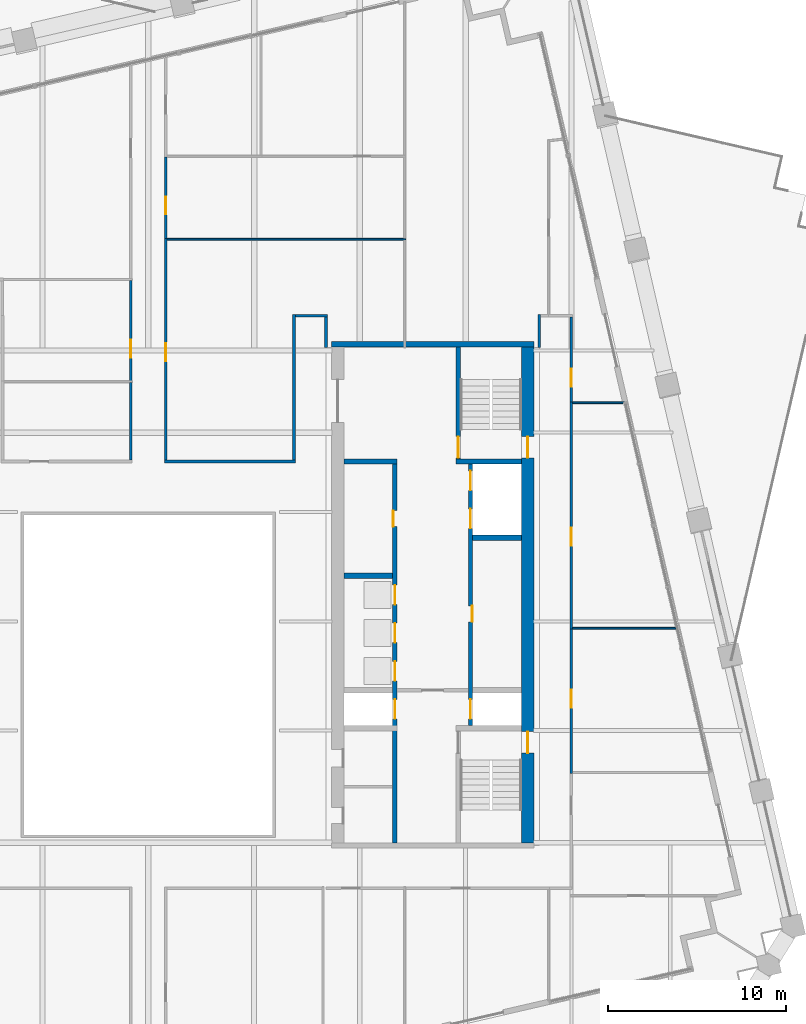
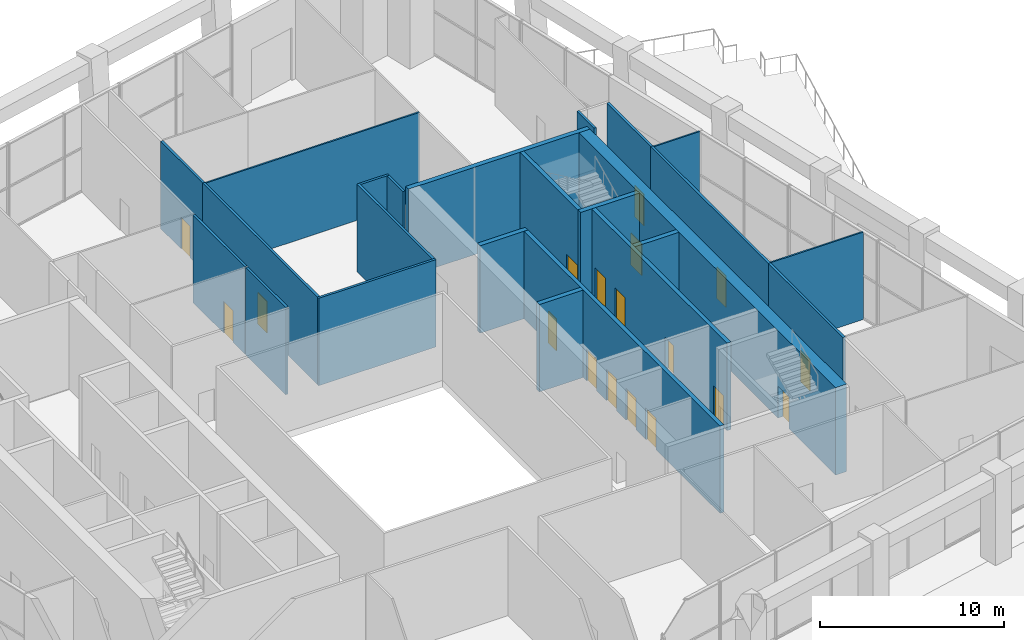
# One storey, part 15 of 24: 24 walls, 18 doors, 18 openings.
"""IFC4 building model written with IfcOpenShell, lengths in metres."""

from ifc_helpers import new_model, si_unit, direction, frame, frame_2d, origin, place, context, subcontext, project, spatial, rectangle, extrude, material, layer, layer_set, type_object, element, fill, save


model = new_model("IFC4")

# Units and contexts
model_context = context("Model", 3, precision=1e-05, world=origin(), true_north=direction((0.0, 1.0)))
body_context = subcontext(model_context, "Body", "Model", "MODEL_VIEW")
ifc_project = project(units=[si_unit("LENGTHUNIT", "METRE"), si_unit("AREAUNIT", "SQUARE_METRE"), si_unit("VOLUMEUNIT", "CUBIC_METRE"), si_unit("PLANEANGLEUNIT", "RADIAN"), si_unit("MASSUNIT", "GRAM", prefix="KILO")], contexts=[model_context])

# Site, building, storey
site_placement = place(None, origin())
site = spatial("IfcSite", under=ifc_project, at=site_placement, CompositionType="ELEMENT")
building_placement = place(site_placement, origin())
building = spatial("IfcBuilding", under=site, at=building_placement, Name="Ogive Exchange Tower", CompositionType="ELEMENT")
storey_placement = place(building_placement, frame((0.0, 0.0, 165.60009765625)))
storey = spatial("IfcBuildingStorey", under=building, at=storey_placement, Name="L36", CompositionType="ELEMENT", Elevation=165.60009765625)

# Walls
ifc_material_1 = material(Name="Gypsum board partition")
ifc_layer_1 = layer(ifc_material_1, 0.300048828125)
ifc_layer_set_1 = layer_set([ifc_layer_1], Name="Core room partition 300 gypsum")
wall_type_1 = type_object("IfcWallType", Name="Core room partition 300 gypsum", PredefinedType="PARTITIONING", material=ifc_layer_set_1)
wall_1_placement = place(storey_placement, frame((11.0, 19.0, 0.0), z_axis=(0.0, 0.0, 1.0), x_axis=(1.0, 0.0, 0.0)))
element("IfcWall", 1, at=wall_1_placement, inside=storey, type_object=wall_type_1, Name="E row B room end wall 7", PredefinedType="PARTITIONING", context=body_context, shape_type="SweptSolid", body=[
    extrude(rectangle(XDim=3.0, YDim=0.300048828125, at=frame_2d((1.5, 0.0))), origin(), (0.0, 0.0, 1.0), 5.7998046875),
])
ifc_material_2 = material(Name="Fire partition EI 60 150")
ifc_layer_2 = layer(ifc_material_2, 0.14990234375)
ifc_layer_set_2 = layer_set([ifc_layer_2], Name="Fire partition EI 60 150")
wall_type_2 = type_object("IfcWallType", Name="Fire partition EI 60 150", PredefinedType="PARTITIONING", material=ifc_layer_set_2)
wall_2_placement = place(storey_placement, frame((-0.989990234375, 19.074951171875, 0.0), z_axis=(0.0, 0.0, 1.0), x_axis=(0.0, 1.0, 0.0)))
element("IfcWall", 2, at=wall_2_placement, inside=storey, type_object=wall_type_2, Name="L36-PWL-035", PredefinedType="PARTITIONING", context=body_context, shape_type="SweptSolid", body=[
    extrude(rectangle(XDim=4.364990234375, YDim=0.14990234375, at=frame_2d((2.1826171875, 0.0))), origin(), (0.0, 0.0, 1.0), 5.7998046875),
])

# Wall, opening, door
wall_3_placement = place(storey_placement, frame((-0.989990234375, 23.5400390625, 0.0), z_axis=(0.0, 0.0, 1.0), x_axis=(0.0, 1.0, 0.0)))
wall_3 = element("IfcWall", 3, at=wall_3_placement, inside=storey, type_object=wall_type_2, Name="L36-PWL-036", PredefinedType="PARTITIONING", context=body_context, shape_type="SweptSolid", body=[
    extrude(rectangle(XDim=5.64990234375, YDim=0.14990234375, at=frame_2d((2.824951171875, 0.0))), origin(), (0.0, 0.0, 1.0), 5.7998046875),
])
opening_1_placement = place(wall_3_placement, frame((1.300048828125, 0.0, 0.0)))
opening_1 = element("IfcOpeningElement", 4, at=opening_1_placement, cuts=wall_3, Name="Opening L36-I04", PredefinedType="OPENING", context=body_context, shape_type="SweptSolid", body=[
    extrude(rectangle(XDim=1.0, YDim=2.10009765625, at=frame_2d((0.5, 1.050048828125))), frame((0.0, 0.0849609375, 0.0), z_axis=(0.0, -1.0, 0.0), x_axis=(1.0, 0.0, 0.0)), (0.0, 0.0, 1.0), 0.169921875),
])
ifc_material_3 = material(Name="Fire door FD 30S 1000 x 2100")
door_type_1 = type_object("IfcDoorType", Name="Fire door FD 30S 1000 x 2100", OperationType="NOTDEFINED", PredefinedType="DOOR", material=ifc_material_3)
door_1_placement = place(opening_1_placement, origin())
door_1 = element("IfcDoor", 5, at=door_1_placement, inside=storey, type_object=door_type_1, Name="L36-IDR-004", ObjectType="DT3", OperationType="SINGLE_SWING_RIGHT", OverallHeight=2.10009765625, OverallWidth=1.0, PredefinedType="DOOR", context=body_context, shape_type="SweptSolid", body=[
    extrude(rectangle(XDim=1.0, YDim=2.10009765625, at=frame_2d((0.5, 1.050048828125))), frame((0.0, 0.02490234375, 0.0), z_axis=(0.0, -1.0, 0.0), x_axis=(1.0, 0.0, 0.0)), (0.0, 0.0, 1.0), 0.050048828125),
])
fill(opening_1, door_1)

# Wall
wall_4_placement = place(storey_placement, frame((0.9150390625, 19.0, 0.0), z_axis=(0.0, 0.0, 1.0), x_axis=(1.0, 0.0, 0.0)))
element("IfcWall", 6, at=wall_4_placement, inside=storey, type_object=wall_type_2, Name="L36-PWL-039", PredefinedType="PARTITIONING", context=body_context, shape_type="SweptSolid", body=[
    extrude(rectangle(XDim=7.35986328125, YDim=0.14990234375, at=frame_2d((3.679931640625, 0.0))), origin(), (0.0, 0.0, 1.0), 5.7998046875),
])

# Wall, opening, door
wall_5_placement = place(storey_placement, frame((0.989990234375, 31.550048828125, 0.0), z_axis=(0.0, 0.0, 1.0), x_axis=(0.0, -1.0, 0.0)))
wall_5 = element("IfcWall", 7, at=wall_5_placement, inside=storey, type_object=wall_type_2, Name="L36-PWL-040", PredefinedType="PARTITIONING", context=body_context, shape_type="SweptSolid", body=[
    extrude(rectangle(XDim=12.47509765625, YDim=0.14990234375, at=frame_2d((6.237548828125, 0.0))), origin(), (0.0, 0.0, 1.0), 5.7998046875),
])
opening_2_placement = place(wall_5_placement, frame((5.89990234375, 0.0, 0.0)))
opening_2 = element("IfcOpeningElement", 8, at=opening_2_placement, cuts=wall_5, Name="Opening L36-I25", PredefinedType="OPENING", context=body_context, shape_type="SweptSolid", body=[
    extrude(rectangle(XDim=1.0, YDim=2.10009765625, at=frame_2d((0.5, 1.050048828125))), frame((0.0, 0.0849609375, 0.0), z_axis=(0.0, -1.0, 0.0), x_axis=(1.0, 0.0, 0.0)), (0.0, 0.0, 1.0), 0.169921875),
])
door_2_placement = place(opening_2_placement, origin())
door_2 = element("IfcDoor", 9, at=door_2_placement, inside=storey, type_object=door_type_1, Name="L36-IDR-025", ObjectType="DT3", OperationType="SINGLE_SWING_RIGHT", OverallHeight=2.10009765625, OverallWidth=1.0, PredefinedType="DOOR", context=body_context, shape_type="SweptSolid", body=[
    extrude(rectangle(XDim=1.0, YDim=2.10009765625, at=frame_2d((0.5, 1.050048828125))), frame((0.0, 0.02490234375, 0.0), z_axis=(0.0, -1.0, 0.0), x_axis=(1.0, 0.0, 0.0)), (0.0, 0.0, 1.0), 0.050048828125),
])
fill(opening_2, door_2)

wall_6_placement = place(storey_placement, frame((0.989990234375, 36.1201171875, 0.0), z_axis=(0.0, 0.0, 1.0), x_axis=(0.0, -1.0, 0.0)))
wall_6 = element("IfcWall", 10, at=wall_6_placement, inside=storey, type_object=wall_type_2, Name="L36-PWL-041", PredefinedType="PARTITIONING", context=body_context, shape_type="SweptSolid", body=[
    extrude(rectangle(XDim=4.570068359375, YDim=0.14990234375, at=frame_2d((2.28515625, 0.0))), origin(), (0.0, 0.0, 1.0), 5.7998046875),
])
opening_3_placement = place(wall_6_placement, frame((2.219970703125, 0.0, 0.0)))
opening_3 = element("IfcOpeningElement", 11, at=opening_3_placement, cuts=wall_6, Name="Opening L36-I24", PredefinedType="OPENING", context=body_context, shape_type="SweptSolid", body=[
    extrude(rectangle(XDim=1.0, YDim=2.10009765625, at=frame_2d((0.5, 1.050048828125))), frame((0.0, 0.0849609375, 0.0), z_axis=(0.0, -1.0, 0.0), x_axis=(1.0, 0.0, 0.0)), (0.0, 0.0, 1.0), 0.169921875),
])
door_3_placement = place(opening_3_placement, origin())
door_3 = element("IfcDoor", 12, at=door_3_placement, inside=storey, type_object=door_type_1, Name="L36-IDR-024", ObjectType="DT3", OperationType="SINGLE_SWING_LEFT", OverallHeight=2.10009765625, OverallWidth=1.0, PredefinedType="DOOR", context=body_context, shape_type="SweptSolid", body=[
    extrude(rectangle(XDim=1.0, YDim=2.10009765625, at=frame_2d((0.5, 1.050048828125))), frame((0.0, 0.02490234375, 0.0), z_axis=(0.0, -1.0, 0.0), x_axis=(1.0, 0.0, 0.0)), (0.0, 0.0, 1.0), 0.050048828125),
])
fill(opening_3, door_3)

# Walls
wall_7_placement = place(storey_placement, frame((8.199951171875, 19.074951171875, 0.0), z_axis=(0.0, 0.0, 1.0), x_axis=(0.0, 1.0, 0.0)))
element("IfcWall", 13, at=wall_7_placement, inside=storey, type_object=wall_type_2, Name="L36-PWL-045", PredefinedType="PARTITIONING", context=body_context, shape_type="SweptSolid", body=[
    extrude(rectangle(XDim=8.199951171875, YDim=0.14990234375, at=frame_2d((4.10009765625, 0.0))), origin(), (0.0, 0.0, 1.0), 5.7998046875),
])
wall_8_placement = place(storey_placement, frame((8.27490234375, 27.199951171875, 0.0), z_axis=(0.0, 0.0, 1.0), x_axis=(1.0, 0.0, 0.0)))
element("IfcWall", 14, at=wall_8_placement, inside=storey, type_object=wall_type_2, Name="L36-PWL-046", PredefinedType="PARTITIONING", context=body_context, shape_type="SweptSolid", body=[
    extrude(rectangle(XDim=1.800048828125, YDim=0.14990234375, at=frame_2d((0.89990234375, 0.0))), origin(), (0.0, 0.0, 1.0), 5.7998046875),
])
wall_9_placement = place(storey_placement, frame((10.0, 27.125, 0.0), z_axis=(0.0, 0.0, 1.0), x_axis=(0.0, -1.0, 0.0)))
element("IfcWall", 15, at=wall_9_placement, inside=storey, type_object=wall_type_2, Name="L36-PWL-049", PredefinedType="PARTITIONING", context=body_context, shape_type="SweptSolid", body=[
    extrude(rectangle(XDim=1.72509765625, YDim=0.14990234375, at=frame_2d((0.862548828125, 0.0))), origin(), (0.0, 0.0, 1.0), 5.7998046875),
])
wall_10_placement = place(storey_placement, frame((22.0, 25.39990234375, 0.0), z_axis=(0.0, 0.0, 1.0), x_axis=(0.0, 1.0, 0.0)))
element("IfcWall", 16, at=wall_10_placement, inside=storey, type_object=wall_type_2, Name="L36-PWL-057", PredefinedType="PARTITIONING", context=body_context, shape_type="SweptSolid", body=[
    extrude(rectangle(XDim=1.875, YDim=0.14990234375, at=frame_2d((0.9375, 0.0))), origin(), (0.0, 0.0, 1.0), 5.7998046875),
])

# Wall, opening, door
wall_11_placement = place(storey_placement, frame((23.800048828125, 9.570068359375, 0.0), z_axis=(0.0, 0.0, 1.0), x_axis=(0.0, -1.0, 0.0)))
wall_11 = element("IfcWall", 17, at=wall_11_placement, inside=storey, type_object=wall_type_2, Name="L36-PWL-067", PredefinedType="PARTITIONING", context=body_context, shape_type="SweptSolid", body=[
    extrude(rectangle(XDim=8.110107421875, YDim=0.14990234375, at=frame_2d((4.05517578125, 0.0))), origin(), (0.0, 0.0, 1.0), 5.7998046875),
])
opening_4_placement = place(wall_11_placement, frame((3.409912109375, 0.0, 0.0)))
opening_4 = element("IfcOpeningElement", 18, at=opening_4_placement, cuts=wall_11, Name="Opening L36-I19", PredefinedType="OPENING", context=body_context, shape_type="SweptSolid", body=[
    extrude(rectangle(XDim=1.0, YDim=2.10009765625, at=frame_2d((0.5, 1.050048828125))), frame((0.0, 0.0849609375, 0.0), z_axis=(0.0, -1.0, 0.0), x_axis=(1.0, 0.0, 0.0)), (0.0, 0.0, 1.0), 0.169921875),
])
door_4_placement = place(opening_4_placement, origin())
door_4 = element("IfcDoor", 19, at=door_4_placement, inside=storey, type_object=door_type_1, Name="L36-IDR-019", ObjectType="DT3", OperationType="SINGLE_SWING_RIGHT", OverallHeight=2.10009765625, OverallWidth=1.0, PredefinedType="DOOR", context=body_context, shape_type="SweptSolid", body=[
    extrude(rectangle(XDim=1.0, YDim=2.10009765625, at=frame_2d((0.5, 1.050048828125))), frame((0.0, 0.02490234375, 0.0), z_axis=(0.0, -1.0, 0.0), x_axis=(1.0, 0.0, 0.0)), (0.0, 0.0, 1.0), 0.050048828125),
])
fill(opening_4, door_4)

wall_12_placement = place(storey_placement, frame((23.800048828125, 22.360107421875, 0.0), z_axis=(0.0, 0.0, 1.0), x_axis=(0.0, -1.0, 0.0)))
wall_12 = element("IfcWall", 20, at=wall_12_placement, inside=storey, type_object=wall_type_2, Name="L36-PWL-068", PredefinedType="PARTITIONING", context=body_context, shape_type="SweptSolid", body=[
    extrude(rectangle(XDim=12.7900390625, YDim=0.14990234375, at=frame_2d((6.39501953125, 0.0))), origin(), (0.0, 0.0, 1.0), 5.7998046875),
])
opening_5_placement = place(wall_12_placement, frame((7.090087890625, 0.0, 0.0)))
opening_5 = element("IfcOpeningElement", 21, at=opening_5_placement, cuts=wall_12, Name="Opening L36-I18", PredefinedType="OPENING", context=body_context, shape_type="SweptSolid", body=[
    extrude(rectangle(XDim=1.0, YDim=2.10009765625, at=frame_2d((0.5, 1.050048828125))), frame((0.0, 0.0849609375, 0.0), z_axis=(0.0, -1.0, 0.0), x_axis=(1.0, 0.0, 0.0)), (0.0, 0.0, 1.0), 0.169921875),
])
door_5_placement = place(opening_5_placement, origin())
door_5 = element("IfcDoor", 22, at=door_5_placement, inside=storey, type_object=door_type_1, Name="L36-IDR-018", ObjectType="DT3", OperationType="SINGLE_SWING_RIGHT", OverallHeight=2.10009765625, OverallWidth=1.0, PredefinedType="DOOR", context=body_context, shape_type="SweptSolid", body=[
    extrude(rectangle(XDim=1.0, YDim=2.10009765625, at=frame_2d((0.5, 1.050048828125))), frame((0.0, 0.02490234375, 0.0), z_axis=(0.0, -1.0, 0.0), x_axis=(1.0, 0.0, 0.0)), (0.0, 0.0, 1.0), 0.050048828125),
])
fill(opening_5, door_5)

wall_13_placement = place(storey_placement, frame((23.800048828125, 27.125, 0.0), z_axis=(0.0, 0.0, 1.0), x_axis=(0.0, -1.0, 0.0)))
wall_13 = element("IfcWall", 23, at=wall_13_placement, inside=storey, type_object=wall_type_2, Name="L36-PWL-069", PredefinedType="PARTITIONING", context=body_context, shape_type="SweptSolid", body=[
    extrude(rectangle(XDim=4.764892578125, YDim=0.14990234375, at=frame_2d((2.38232421875, 0.0))), origin(), (0.0, 0.0, 1.0), 5.7998046875),
])
opening_6_placement = place(wall_13_placement, frame((2.9150390625, 0.0, 0.0)))
opening_6 = element("IfcOpeningElement", 24, at=opening_6_placement, cuts=wall_13, Name="Opening L36-I17", PredefinedType="OPENING", context=body_context, shape_type="SweptSolid", body=[
    extrude(rectangle(XDim=1.0, YDim=2.10009765625, at=frame_2d((0.5, 1.050048828125))), frame((0.0, 0.0849609375, 0.0), z_axis=(0.0, -1.0, 0.0), x_axis=(1.0, 0.0, 0.0)), (0.0, 0.0, 1.0), 0.169921875),
])
door_6_placement = place(opening_6_placement, origin())
door_6 = element("IfcDoor", 25, at=door_6_placement, inside=storey, type_object=door_type_1, Name="L36-IDR-017", ObjectType="DT3", OperationType="SINGLE_SWING_LEFT", OverallHeight=2.10009765625, OverallWidth=1.0, PredefinedType="DOOR", context=body_context, shape_type="SweptSolid", body=[
    extrude(rectangle(XDim=1.0, YDim=2.10009765625, at=frame_2d((0.5, 1.050048828125))), frame((0.0, 0.02490234375, 0.0), z_axis=(0.0, -1.0, 0.0), x_axis=(1.0, 0.0, 0.0)), (0.0, 0.0, 1.0), 0.050048828125),
])
fill(opening_6, door_6)

# Walls
ifc_material_4 = material(Name="Partition 100 gypsum")
ifc_layer_3 = layer(ifc_material_4, 0.10009765625)
ifc_layer_set_3 = layer_set([ifc_layer_3], Name="Partition 100 gypsum")
wall_type_3 = type_object("IfcWallType", Name="Partition 100 gypsum", PredefinedType="PARTITIONING", material=ifc_layer_set_3)
wall_14_placement = place(storey_placement, frame((14.47998046875, 31.5, 0.0), z_axis=(0.0, 0.0, 1.0), x_axis=(-1.0, 0.0, 0.0)))
element("IfcWall", 26, at=wall_14_placement, inside=storey, type_object=wall_type_3, Name="L36-PWL-052", PredefinedType="PARTITIONING", context=body_context, shape_type="SweptSolid", body=[
    extrude(rectangle(XDim=13.4150390625, YDim=0.10009765625, at=frame_2d((6.70751953125, 0.0))), origin(), (0.0, 0.0, 1.0), 5.7998046875),
])
wall_15_placement = place(storey_placement, frame((26.760009765625, 22.31005859375, 0.0), z_axis=(0.0, 0.0, 1.0), x_axis=(-1.0, 0.0, 0.0)))
element("IfcWall", 27, at=wall_15_placement, inside=storey, type_object=wall_type_3, Name="L36-PWL-070", PredefinedType="PARTITIONING", context=body_context, shape_type="SweptSolid", body=[
    extrude(rectangle(XDim=2.885009765625, YDim=0.10009765625, at=frame_2d((1.4423828125, 0.0))), origin(), (0.0, 0.0, 1.0), 5.7998046875),
])
wall_16_placement = place(storey_placement, frame((29.68896484375, 9.6201171875, 0.0), z_axis=(0.0, 0.0, 1.0), x_axis=(-1.0, 0.0, 0.0)))
element("IfcWall", 28, at=wall_16_placement, inside=storey, type_object=wall_type_3, Name="L36-PWL-071", PredefinedType="PARTITIONING", context=body_context, shape_type="SweptSolid", body=[
    extrude(rectangle(XDim=5.81396484375, YDim=0.10009765625, at=frame_2d((2.906982421875, 0.0))), origin(), (0.0, 0.0, 1.0), 5.7998046875),
])

# Wall, opening, door
ifc_material_5 = material(Name="Concrete C70/85", Category="concrete")
ifc_layer_4 = layer(ifc_material_5, 0.25)
ifc_layer_set_4 = layer_set([ifc_layer_4], Name="RC core wall 250 C70/85")
wall_type_4 = type_object("IfcWallType", Name="RC core wall 250 C70/85", PredefinedType="SHEAR", material=ifc_layer_set_4)
wall_17_placement = place(storey_placement, frame((17.425048828125, 19.14990234375, 0.0), z_axis=(0.0, 0.0, 1.0), x_axis=(0.0, 1.0, 0.0)))
wall_17 = element("IfcWall", 29, at=wall_17_placement, inside=storey, type_object=wall_type_4, Name="E stair N front wall", PredefinedType="SHEAR", context=body_context, shape_type="SweptSolid", body=[
    extrude(rectangle(XDim=6.300048828125, YDim=0.25, at=frame_2d((3.14990234375, 0.0))), origin(), (0.0, 0.0, 1.0), 5.7998046875),
])
opening_7_placement = place(wall_17_placement, frame((0.050048828125, 0.0, 0.0)))
opening_7 = element("IfcOpeningElement", 30, at=opening_7_placement, cuts=wall_17, Name="Opening L36-C33", PredefinedType="OPENING", context=body_context, shape_type="SweptSolid", body=[
    extrude(rectangle(XDim=1.199951171875, YDim=2.10009765625, at=frame_2d((0.60009765625, 1.050048828125))), frame((0.0, 0.135009765625, 0.0), z_axis=(0.0, -1.0, 0.0), x_axis=(1.0, 0.0, 0.0)), (0.0, 0.0, 1.0), 0.27001953125),
])
ifc_material_6 = material(Name="Steel fire door", Category="steel")
door_type_2 = type_object("IfcDoorType", Name="Stair door FD90 1200 x 2100", OperationType="NOTDEFINED", PredefinedType="DOOR", material=ifc_material_6)
door_7_placement = place(opening_7_placement, frame((1.199951171875, 0.0, 0.0), z_axis=(0.0, 0.0, 1.0), x_axis=(-1.0, 0.0, 0.0)))
door_7 = element("IfcDoor", 31, at=door_7_placement, inside=storey, type_object=door_type_2, Name="Stair door", ObjectType="CD5", OperationType="SINGLE_SWING_LEFT", OverallHeight=2.10009765625, OverallWidth=1.199951171875, PredefinedType="DOOR", context=body_context, shape_type="SweptSolid", body=[
    extrude(rectangle(XDim=1.199951171875, YDim=2.10009765625, at=frame_2d((0.60009765625, 1.050048828125))), frame((0.0, 0.02490234375, 0.0), z_axis=(0.0, -1.0, 0.0), x_axis=(1.0, 0.0, 0.0)), (0.0, 0.0, 1.0), 0.050048828125),
])
fill(opening_7, door_7)

# Wall, openings, doors
wall_18_placement = place(storey_placement, frame((18.125, 4.14990234375, 0.0), z_axis=(0.0, 0.0, 1.0), x_axis=(0.0, 1.0, 0.0)))
wall_18 = element("IfcWall", 32, at=wall_18_placement, inside=storey, type_object=wall_type_4, Name="E row A front wall", PredefinedType="SHEAR", context=body_context, shape_type="SweptSolid", body=[
    extrude(rectangle(XDim=14.7001953125, YDim=0.25, at=frame_2d((7.35009765625, 0.0))), origin(), (0.0, 0.0, 1.0), 5.7998046875),
])
opening_8_placement = place(wall_18_placement, frame((5.82861328125, 0.0, 0.0)))
opening_8 = element("IfcOpeningElement", 33, at=opening_8_placement, cuts=wall_18, Name="Opening L36-C20", PredefinedType="OPENING", context=body_context, shape_type="SweptSolid", body=[
    extrude(rectangle(XDim=0.89990234375, YDim=2.10009765625, at=frame_2d((0.449951171875, 1.050048828125))), frame((0.0, 0.135009765625, 0.0), z_axis=(0.0, -1.0, 0.0), x_axis=(1.0, 0.0, 0.0)), (0.0, 0.0, 1.0), 0.27001953125),
])
opening_9_placement = place(wall_18_placement, frame((0.371337890625, 0.0, 0.0)))
opening_9 = element("IfcOpeningElement", 34, at=opening_9_placement, cuts=wall_18, Name="Opening L36-C21", PredefinedType="OPENING", context=body_context, shape_type="SweptSolid", body=[
    extrude(rectangle(XDim=1.10009765625, YDim=2.10009765625, at=frame_2d((0.550048828125, 1.050048828125))), frame((0.0, 0.135009765625, 0.0), z_axis=(0.0, -1.0, 0.0), x_axis=(1.0, 0.0, 0.0)), (0.0, 0.0, 1.0), 0.27001953125),
])
opening_10_placement = place(wall_18_placement, frame((11.085693359375, 0.0, 0.0)))
opening_10 = element("IfcOpeningElement", 35, at=opening_10_placement, cuts=wall_18, Name="Opening L36-C22", PredefinedType="OPENING", context=body_context, shape_type="SweptSolid", body=[
    extrude(rectangle(XDim=1.10009765625, YDim=2.10009765625, at=frame_2d((0.550048828125, 1.050048828125))), frame((0.0, 0.135009765625, 0.0), z_axis=(0.0, -1.0, 0.0), x_axis=(1.0, 0.0, 0.0)), (0.0, 0.0, 1.0), 0.27001953125),
])
opening_11_placement = place(wall_18_placement, frame((13.228515625, 0.0, 0.0)))
opening_11 = element("IfcOpeningElement", 36, at=opening_11_placement, cuts=wall_18, Name="Opening L36-C23", PredefinedType="OPENING", context=body_context, shape_type="SweptSolid", body=[
    extrude(rectangle(XDim=1.10009765625, YDim=2.10009765625, at=frame_2d((0.550048828125, 1.050048828125))), frame((0.0, 0.135009765625, 0.0), z_axis=(0.0, -1.0, 0.0), x_axis=(1.0, 0.0, 0.0)), (0.0, 0.0, 1.0), 0.27001953125),
])
ifc_material_7 = material(Name="Stainless steel", Category="steel")
door_type_3 = type_object("IfcDoorType", Name="Lift landing door FD90 1100 x 2100", OperationType="SLIDING_TO_LEFT", PredefinedType="DOOR", material=ifc_material_7)
door_8_placement = place(opening_9_placement, origin())
door_8 = element("IfcDoor", 37, at=door_8_placement, inside=storey, type_object=door_type_3, Name="Lift landing door FF2", ObjectType="LD", OperationType="SLIDING_TO_LEFT", OverallHeight=2.10009765625, OverallWidth=1.10009765625, PredefinedType="DOOR", context=body_context, shape_type="SweptSolid", body=[
    extrude(rectangle(XDim=1.10009765625, YDim=2.10009765625, at=frame_2d((0.550048828125, 1.050048828125))), frame((0.0, 0.02490234375, 0.0), z_axis=(0.0, -1.0, 0.0), x_axis=(1.0, 0.0, 0.0)), (0.0, 0.0, 1.0), 0.050048828125),
])
fill(opening_9, door_8)
door_9_placement = place(opening_10_placement, origin())
door_9 = element("IfcDoor", 38, at=door_9_placement, inside=storey, type_object=door_type_3, Name="Lift landing door E-SH1", ObjectType="LD", OperationType="SLIDING_TO_LEFT", OverallHeight=2.10009765625, OverallWidth=1.10009765625, PredefinedType="DOOR", context=body_context, shape_type="SweptSolid", body=[
    extrude(rectangle(XDim=1.10009765625, YDim=2.10009765625, at=frame_2d((0.550048828125, 1.050048828125))), frame((0.0, 0.02490234375, 0.0), z_axis=(0.0, -1.0, 0.0), x_axis=(1.0, 0.0, 0.0)), (0.0, 0.0, 1.0), 0.050048828125),
])
fill(opening_10, door_9)
door_10_placement = place(opening_11_placement, origin())
door_10 = element("IfcDoor", 39, at=door_10_placement, inside=storey, type_object=door_type_3, Name="Lift landing door E-SH2", ObjectType="LD", OperationType="SLIDING_TO_LEFT", OverallHeight=2.10009765625, OverallWidth=1.10009765625, PredefinedType="DOOR", context=body_context, shape_type="SweptSolid", body=[
    extrude(rectangle(XDim=1.10009765625, YDim=2.10009765625, at=frame_2d((0.550048828125, 1.050048828125))), frame((0.0, 0.02490234375, 0.0), z_axis=(0.0, -1.0, 0.0), x_axis=(1.0, 0.0, 0.0)), (0.0, 0.0, 1.0), 0.050048828125),
])
fill(opening_11, door_10)
door_type_4 = type_object("IfcDoorType", Name="Riser door FD60 900 x 2100", OperationType="NOTDEFINED", PredefinedType="DOOR", material=ifc_material_6)
door_11_placement = place(opening_8_placement, frame((0.89990234375, -0.2001953125, 0.0), z_axis=(0.0, 0.0, 1.0), x_axis=(-1.0, 0.0, 0.0)))
door_11 = element("IfcDoor", 40, at=door_11_placement, inside=storey, type_object=door_type_4, Name="Riser door", ObjectType="CD2", OperationType="SINGLE_SWING_RIGHT", OverallHeight=2.10009765625, OverallWidth=0.89990234375, PredefinedType="DOOR", context=body_context, shape_type="SweptSolid", body=[
    extrude(rectangle(XDim=0.89990234375, YDim=2.10009765625, at=frame_2d((0.449951171875, 1.050048828125))), frame((0.0, -0.0751953125, 0.0), z_axis=(0.0, -1.0, 0.0), x_axis=(1.0, 0.0, 0.0)), (0.0, 0.0, 1.0), 0.050048828125),
])
fill(opening_8, door_11)

wall_19_placement = place(storey_placement, frame((13.875, -2.449951171875, 0.0), z_axis=(0.0, 0.0, 1.0), x_axis=(0.0, 1.0, 0.0)))
wall_19 = element("IfcWall", 41, at=wall_19_placement, inside=storey, type_object=wall_type_4, Name="E row B front wall", PredefinedType="SHEAR", context=body_context, shape_type="SweptSolid", body=[
    extrude(rectangle(XDim=21.300048828125, YDim=0.25, at=frame_2d((10.64990234375, 0.0))), origin(), (0.0, 0.0, 1.0), 5.7998046875),
])
opening_12_placement = place(wall_19_placement, frame((17.78564453125, 0.0, 0.0)))
opening_12 = element("IfcOpeningElement", 42, at=opening_12_placement, cuts=wall_19, Name="Opening L36-C24", PredefinedType="OPENING", context=body_context, shape_type="SweptSolid", body=[
    extrude(rectangle(XDim=0.89990234375, YDim=2.10009765625, at=frame_2d((0.449951171875, 1.050048828125))), frame((0.0, 0.135009765625, 0.0), z_axis=(0.0, -1.0, 0.0), x_axis=(1.0, 0.0, 0.0)), (0.0, 0.0, 1.0), 0.27001953125),
])
opening_13_placement = place(wall_19_placement, frame((6.971435546875, 0.0, 0.0)))
opening_13 = element("IfcOpeningElement", 43, at=opening_13_placement, cuts=wall_19, Name="Opening L36-C25", PredefinedType="OPENING", context=body_context, shape_type="SweptSolid", body=[
    extrude(rectangle(XDim=1.10009765625, YDim=2.10009765625, at=frame_2d((0.550048828125, 1.050048828125))), frame((0.0, 0.135009765625, 0.0), z_axis=(0.0, -1.0, 0.0), x_axis=(1.0, 0.0, 0.0)), (0.0, 0.0, 1.0), 0.27001953125),
])
opening_14_placement = place(wall_19_placement, frame((9.1142578125, 0.0, 0.0)))
opening_14 = element("IfcOpeningElement", 44, at=opening_14_placement, cuts=wall_19, Name="Opening L36-C26", PredefinedType="OPENING", context=body_context, shape_type="SweptSolid", body=[
    extrude(rectangle(XDim=1.10009765625, YDim=2.10009765625, at=frame_2d((0.550048828125, 1.050048828125))), frame((0.0, 0.135009765625, 0.0), z_axis=(0.0, -1.0, 0.0), x_axis=(1.0, 0.0, 0.0)), (0.0, 0.0, 1.0), 0.27001953125),
])
opening_15_placement = place(wall_19_placement, frame((11.257080078125, 0.0, 0.0)))
opening_15 = element("IfcOpeningElement", 45, at=opening_15_placement, cuts=wall_19, Name="Opening L36-C27", PredefinedType="OPENING", context=body_context, shape_type="SweptSolid", body=[
    extrude(rectangle(XDim=1.10009765625, YDim=2.10009765625, at=frame_2d((0.550048828125, 1.050048828125))), frame((0.0, 0.135009765625, 0.0), z_axis=(0.0, -1.0, 0.0), x_axis=(1.0, 0.0, 0.0)), (0.0, 0.0, 1.0), 0.27001953125),
])
opening_16_placement = place(wall_19_placement, frame((13.39990234375, 0.0, 0.0)))
opening_16 = element("IfcOpeningElement", 46, at=opening_16_placement, cuts=wall_19, Name="Opening L36-C28", PredefinedType="OPENING", context=body_context, shape_type="SweptSolid", body=[
    extrude(rectangle(XDim=1.10009765625, YDim=2.10009765625, at=frame_2d((0.550048828125, 1.050048828125))), frame((0.0, 0.135009765625, 0.0), z_axis=(0.0, -1.0, 0.0), x_axis=(1.0, 0.0, 0.0)), (0.0, 0.0, 1.0), 0.27001953125),
])
door_12_placement = place(opening_13_placement, origin())
door_12 = element("IfcDoor", 47, at=door_12_placement, inside=storey, type_object=door_type_3, Name="Lift landing door SV2", ObjectType="LD", OperationType="SLIDING_TO_LEFT", OverallHeight=2.10009765625, OverallWidth=1.10009765625, PredefinedType="DOOR", context=body_context, shape_type="SweptSolid", body=[
    extrude(rectangle(XDim=1.10009765625, YDim=2.10009765625, at=frame_2d((0.550048828125, 1.050048828125))), frame((0.0, 0.02490234375, 0.0), z_axis=(0.0, -1.0, 0.0), x_axis=(1.0, 0.0, 0.0)), (0.0, 0.0, 1.0), 0.050048828125),
])
fill(opening_13, door_12)
door_13_placement = place(opening_14_placement, origin())
door_13 = element("IfcDoor", 48, at=door_13_placement, inside=storey, type_object=door_type_3, Name="Lift landing door E-M1", ObjectType="LD", OperationType="SLIDING_TO_LEFT", OverallHeight=2.10009765625, OverallWidth=1.10009765625, PredefinedType="DOOR", context=body_context, shape_type="SweptSolid", body=[
    extrude(rectangle(XDim=1.10009765625, YDim=2.10009765625, at=frame_2d((0.550048828125, 1.050048828125))), frame((0.0, 0.02490234375, 0.0), z_axis=(0.0, -1.0, 0.0), x_axis=(1.0, 0.0, 0.0)), (0.0, 0.0, 1.0), 0.050048828125),
])
fill(opening_14, door_13)
door_14_placement = place(opening_15_placement, origin())
door_14 = element("IfcDoor", 49, at=door_14_placement, inside=storey, type_object=door_type_3, Name="Lift landing door E-M2", ObjectType="LD", OperationType="SLIDING_TO_LEFT", OverallHeight=2.10009765625, OverallWidth=1.10009765625, PredefinedType="DOOR", context=body_context, shape_type="SweptSolid", body=[
    extrude(rectangle(XDim=1.10009765625, YDim=2.10009765625, at=frame_2d((0.550048828125, 1.050048828125))), frame((0.0, 0.02490234375, 0.0), z_axis=(0.0, -1.0, 0.0), x_axis=(1.0, 0.0, 0.0)), (0.0, 0.0, 1.0), 0.050048828125),
])
fill(opening_15, door_14)
door_15_placement = place(opening_16_placement, origin())
door_15 = element("IfcDoor", 50, at=door_15_placement, inside=storey, type_object=door_type_3, Name="Lift landing door E-M3", ObjectType="LD", OperationType="SLIDING_TO_LEFT", OverallHeight=2.10009765625, OverallWidth=1.10009765625, PredefinedType="DOOR", context=body_context, shape_type="SweptSolid", body=[
    extrude(rectangle(XDim=1.10009765625, YDim=2.10009765625, at=frame_2d((0.550048828125, 1.050048828125))), frame((0.0, 0.02490234375, 0.0), z_axis=(0.0, -1.0, 0.0), x_axis=(1.0, 0.0, 0.0)), (0.0, 0.0, 1.0), 0.050048828125),
])
fill(opening_16, door_15)
door_16_placement = place(opening_12_placement, origin())
door_16 = element("IfcDoor", 51, at=door_16_placement, inside=storey, type_object=door_type_4, Name="Riser door", ObjectType="CD2", OperationType="SINGLE_SWING_RIGHT", OverallHeight=2.10009765625, OverallWidth=0.89990234375, PredefinedType="DOOR", context=body_context, shape_type="SweptSolid", body=[
    extrude(rectangle(XDim=0.89990234375, YDim=2.10009765625, at=frame_2d((0.449951171875, 1.050048828125))), frame((0.0, 0.125, 0.0), z_axis=(0.0, -1.0, 0.0), x_axis=(1.0, 0.0, 0.0)), (0.0, 0.0, 1.0), 0.050048828125),
])
fill(opening_12, door_16)

# Walls
ifc_layer_5 = layer(ifc_material_5, 0.300048828125)
ifc_layer_set_5 = layer_set([ifc_layer_5], Name="RC core wall 300 C70/85")
wall_type_5 = type_object("IfcWallType", Name="RC core wall 300 C70/85", PredefinedType="SHEAR", material=ifc_layer_set_5)
wall_20_placement = place(storey_placement, frame((10.300048828125, 25.60009765625, 0.0), z_axis=(0.0, 0.0, 1.0), x_axis=(1.0, 0.0, 0.0)))
element("IfcWall", 52, at=wall_20_placement, inside=storey, type_object=wall_type_5, Name="E north end wall", PredefinedType="SHEAR", context=body_context, shape_type="SweptSolid", body=[
    extrude(rectangle(XDim=11.39990234375, YDim=0.300048828125, at=frame_2d((5.699951171875, 0.0))), origin(), (0.0, 0.0, 1.0), 5.7998046875),
])
wall_21_placement = place(storey_placement, frame((17.300048828125, 19.0, 0.0), z_axis=(0.0, 0.0, 1.0), x_axis=(1.0, 0.0, 0.0)))
element("IfcWall", 53, at=wall_21_placement, inside=storey, type_object=wall_type_5, Name="E stair N south wall", PredefinedType="SHEAR", context=body_context, shape_type="SweptSolid", body=[
    extrude(rectangle(XDim=3.699951171875, YDim=0.300048828125, at=frame_2d((1.85009765625, 0.0))), origin(), (0.0, 0.0, 1.0), 5.7998046875),
])
for number, where, z_axis, x_axis, name in (
    (54, (18.25, 14.71435546875, 0.0), (0.0, 0.0, 1.0), (1.0, 0.0, 0.0), "E row A divider 5"),
    (55, (11.0, 12.5712890625, 0.0), (0.0, 0.0, 1.0), (1.0, 0.0, 0.0), "E row B divider 4"),
):
    element("IfcWall", number, at=place(storey_placement, frame(where, z_axis=z_axis, x_axis=x_axis)), inside=storey, type_object=wall_type_5, Name=name, PredefinedType="SHEAR", context=body_context, shape_type="SweptSolid", body=[
        extrude(rectangle(XDim=2.75, YDim=0.300048828125, at=frame_2d((1.375, 0.0))), origin(), (0.0, 0.0, 1.0), 5.7998046875),
    ])

# Wall, openings, doors
ifc_layer_6 = layer(ifc_material_5, 0.699951171875)
ifc_layer_set_6 = layer_set([ifc_layer_6], Name="RC core wall 700 C70/85")
wall_type_6 = type_object("IfcWallType", Name="RC core wall 700 C70/85", PredefinedType="SHEAR", material=ifc_layer_set_6)
wall_22_placement = place(storey_placement, frame((21.35009765625, -2.449951171875, 0.0), z_axis=(0.0, 0.0, 1.0), x_axis=(0.0, 1.0, 0.0)))
wall_22 = element("IfcWall", 56, at=wall_22_placement, inside=storey, type_object=wall_type_6, Name="E outer wall", PredefinedType="SHEAR", context=body_context, shape_type="SweptSolid", body=[
    extrude(rectangle(XDim=27.89990234375, YDim=0.699951171875, at=frame_2d((13.949951171875, 0.0))), origin(), (0.0, 0.0, 1.0), 5.7998046875),
])
opening_17_placement = place(wall_22_placement, frame((5.050048828125, 0.0, 0.0)))
opening_17 = element("IfcOpeningElement", 57, at=opening_17_placement, cuts=wall_22, Name="Opening L36-C32", PredefinedType="OPENING", context=body_context, shape_type="SweptSolid", body=[
    extrude(rectangle(XDim=1.199951171875, YDim=2.10009765625, at=frame_2d((0.60009765625, 1.050048828125))), frame((0.0, 0.35986328125, 0.0), z_axis=(0.0, -1.0, 0.0), x_axis=(1.0, 0.0, 0.0)), (0.0, 0.0, 1.0), 0.719970703125),
])
opening_18_placement = place(wall_22_placement, frame((21.64990234375, 0.0, 0.0)))
opening_18 = element("IfcOpeningElement", 58, at=opening_18_placement, cuts=wall_22, Name="Opening L36-C34", PredefinedType="OPENING", context=body_context, shape_type="SweptSolid", body=[
    extrude(rectangle(XDim=1.199951171875, YDim=2.10009765625, at=frame_2d((0.60009765625, 1.050048828125))), frame((0.0, 0.35986328125, 0.0), z_axis=(0.0, -1.0, 0.0), x_axis=(1.0, 0.0, 0.0)), (0.0, 0.0, 1.0), 0.719970703125),
])
door_17_placement = place(opening_17_placement, origin())
door_17 = element("IfcDoor", 59, at=door_17_placement, inside=storey, type_object=door_type_2, Name="Stair door", ObjectType="CD5", OperationType="SINGLE_SWING_LEFT", OverallHeight=2.10009765625, OverallWidth=1.199951171875, PredefinedType="DOOR", context=body_context, shape_type="SweptSolid", body=[
    extrude(rectangle(XDim=1.199951171875, YDim=2.10009765625, at=frame_2d((0.60009765625, 1.050048828125))), frame((0.0, 0.02490234375, 0.0), z_axis=(0.0, -1.0, 0.0), x_axis=(1.0, 0.0, 0.0)), (0.0, 0.0, 1.0), 0.050048828125),
])
fill(opening_17, door_17)
door_18_placement = place(opening_18_placement, origin())
door_18 = element("IfcDoor", 60, at=door_18_placement, inside=storey, type_object=door_type_2, Name="Stair door", ObjectType="CD5", OperationType="SINGLE_SWING_RIGHT", OverallHeight=2.10009765625, OverallWidth=1.199951171875, PredefinedType="DOOR", context=body_context, shape_type="SweptSolid", body=[
    extrude(rectangle(XDim=1.199951171875, YDim=2.10009765625, at=frame_2d((0.60009765625, 1.050048828125))), frame((0.0, 0.02490234375, 0.0), z_axis=(0.0, -1.0, 0.0), x_axis=(1.0, 0.0, 0.0)), (0.0, 0.0, 1.0), 0.050048828125),
])
fill(opening_18, door_18)

save(model, "model.ifc")
